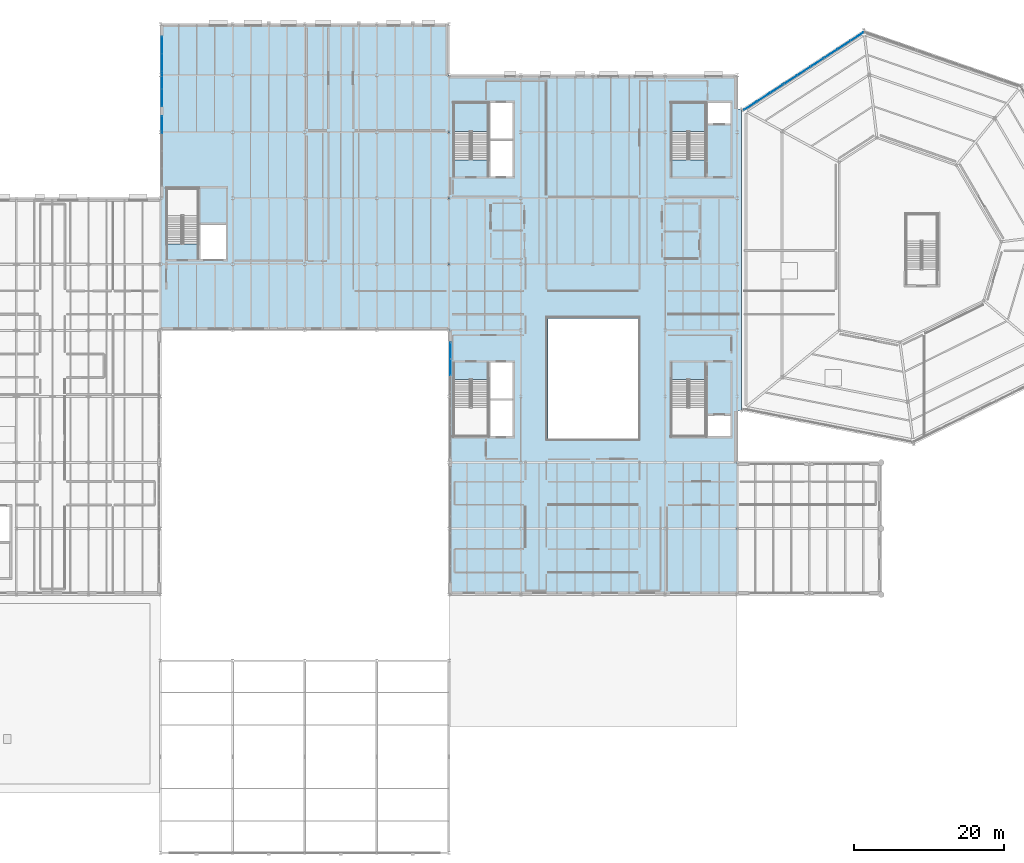
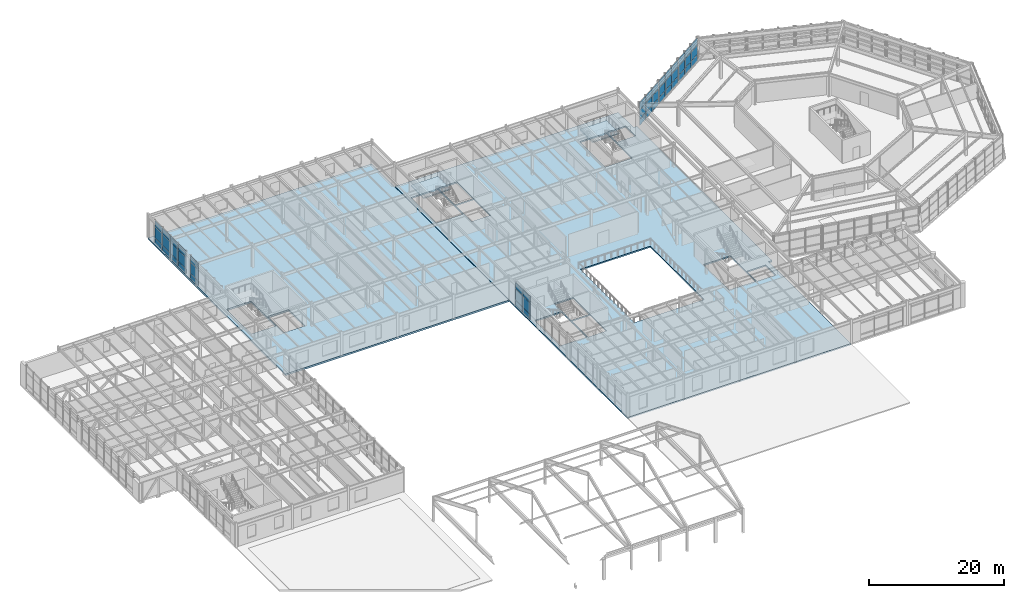
# One storey, part 54 of 88: 48 plates, 4 slabs, 8 elements without a shape of their own.
"""IFC4 building model written with IfcOpenShell, lengths in metres."""

from ifc_helpers import new_model, si_unit, direction, frame, origin, origin_2d, place, context, subcontext, project, spatial, polyline, rectangle, outline, extrude, material, layer, layer_set, type_object, element, aggregate, save


model = new_model("IFC4")

# Units and contexts
model_context = context("Model", 3, precision=1e-05, world=origin(), true_north=direction((0.0, 1.0)))
body_context = subcontext(model_context, "Body", "Model", "MODEL_VIEW")
ifc_project = project(units=[si_unit("LENGTHUNIT", "METRE"), si_unit("AREAUNIT", "SQUARE_METRE"), si_unit("VOLUMEUNIT", "CUBIC_METRE"), si_unit("PLANEANGLEUNIT", "RADIAN"), si_unit("MASSUNIT", "GRAM", prefix="KILO")], contexts=[model_context])

# Site, building, storey
site_placement = place(None, origin())
site = spatial("IfcSite", under=ifc_project, at=site_placement, CompositionType="ELEMENT")
building_placement = place(site_placement, origin())
building = spatial("IfcBuilding", under=site, at=building_placement, Name="Sarnbrook Museum", CompositionType="ELEMENT")
storey_placement = place(building_placement, frame((0.0, 0.0, 10.10009765625)))
storey = spatial("IfcBuildingStorey", under=building, at=storey_placement, Name="L02", CompositionType="ELEMENT", Elevation=10.10009765625)

# Curtain wall, plates
ifc_material_1 = material(Name="Thermally Broken Anodised Aluminium 6063-T6", Category="aluminium")
curtain_wall_type_1 = type_object("IfcCurtainWallType", Name="CurtainWall_CrystalFacet", PredefinedType="NOTDEFINED", material=ifc_material_1)
curtain_wall_1_placement = place(storey_placement, origin())
curtain_wall_1 = element("IfcCurtainWall", 1, at=curtain_wall_1_placement, inside=storey, type_object=curtain_wall_type_1, Name="Crystal Hall Facet Curtain Wall L02-F6.1", PredefinedType="NOTDEFINED")
ifc_material_2 = material(Name="Double-Glazed Low-Iron Laminated Safety Glass", Category="glass")
ifc_layer_1 = layer(ifc_material_2, 0.031982421875)
ifc_layer_set_1 = layer_set([ifc_layer_1], Name="Double-Glazed Low-Iron Laminated Safety Glass")
plate_type_1 = type_object("IfcPlateType", Name="CW_GlazedPanel_32", PredefinedType="CURTAIN_PANEL", material=ifc_layer_set_1)
plate_1_placement = place(storey_placement, frame((135.18505859375, 113.522705078125, 2.0), z_axis=(-0.544284494026, 0.838900703041, 0.0), x_axis=(-0.838900703041, -0.544284494026, 0.0)))
plate_1 = element("IfcPlate", 2, at=plate_1_placement, type_object=plate_type_1, Name="Crystal Hall Facet Curtain Wall L02-F6.1 Glazed Panel 1-2", PredefinedType="CURTAIN_PANEL", context=body_context, shape_type="SweptSolid", body=[
    extrude(rectangle(XDim=1.996826171875, YDim=1.6298828125, at=origin_2d()), origin(), (0.0, 0.0, 1.0), 0.031982421875),
])
plate_2_placement = place(storey_placement, frame((135.18505859375, 113.522705078125, 3.544921875), z_axis=(-0.544284494026, 0.838900703041, 0.0), x_axis=(-0.838900703041, -0.544284494026, 0.0)))
plate_2 = element("IfcPlate", 3, at=plate_2_placement, type_object=plate_type_1, Name="Crystal Hall Facet Curtain Wall L02-F6.1 Glazed Panel 1-3", PredefinedType="CURTAIN_PANEL", context=body_context, shape_type="SweptSolid", body=[
    extrude(rectangle(XDim=1.996826171875, YDim=1.320068359375, at=origin_2d()), origin(), (0.0, 0.0, 1.0), 0.031982421875),
])
plate_3_placement = place(storey_placement, frame((133.447021484375, 112.395263671875, 2.0), z_axis=(-0.544284494026, 0.838900703041, 0.0), x_axis=(-0.838900703041, -0.544284494026, 0.0)))
plate_3 = element("IfcPlate", 4, at=plate_3_placement, type_object=plate_type_1, Name="Crystal Hall Facet Curtain Wall L02-F6.1 Glazed Panel 2-2", PredefinedType="CURTAIN_PANEL", context=body_context, shape_type="SweptSolid", body=[
    extrude(rectangle(XDim=1.996826171875, YDim=1.6298828125, at=origin_2d()), origin(), (0.0, 0.0, 1.0), 0.031982421875),
])
plate_4_placement = place(storey_placement, frame((133.447021484375, 112.395263671875, 3.544921875), z_axis=(-0.544284494026, 0.838900703041, 0.0), x_axis=(-0.838900703041, -0.544284494026, 0.0)))
plate_4 = element("IfcPlate", 5, at=plate_4_placement, type_object=plate_type_1, Name="Crystal Hall Facet Curtain Wall L02-F6.1 Glazed Panel 2-3", PredefinedType="CURTAIN_PANEL", context=body_context, shape_type="SweptSolid", body=[
    extrude(rectangle(XDim=1.996826171875, YDim=1.320068359375, at=origin_2d()), origin(), (0.0, 0.0, 1.0), 0.031982421875),
])
plate_5_placement = place(storey_placement, frame((131.708984375, 111.267578125, 2.0), z_axis=(-0.544284494026, 0.838900703041, 0.0), x_axis=(-0.838900703041, -0.544284494026, 0.0)))
plate_5 = element("IfcPlate", 6, at=plate_5_placement, type_object=plate_type_1, Name="Crystal Hall Facet Curtain Wall L02-F6.1 Glazed Panel 3-2", PredefinedType="CURTAIN_PANEL", context=body_context, shape_type="SweptSolid", body=[
    extrude(rectangle(XDim=1.996826171875, YDim=1.6298828125, at=origin_2d()), origin(), (0.0, 0.0, 1.0), 0.031982421875),
])
plate_6_placement = place(storey_placement, frame((131.708984375, 111.267578125, 3.544921875), z_axis=(-0.544284494026, 0.838900703041, 0.0), x_axis=(-0.838900703041, -0.544284494026, 0.0)))
plate_6 = element("IfcPlate", 7, at=plate_6_placement, type_object=plate_type_1, Name="Crystal Hall Facet Curtain Wall L02-F6.1 Glazed Panel 3-3", PredefinedType="CURTAIN_PANEL", context=body_context, shape_type="SweptSolid", body=[
    extrude(rectangle(XDim=1.996826171875, YDim=1.320068359375, at=origin_2d()), origin(), (0.0, 0.0, 1.0), 0.031982421875),
])

curtain_wall_2_placement = place(storey_placement, origin())
curtain_wall_2 = element("IfcCurtainWall", 8, at=curtain_wall_2_placement, inside=storey, type_object=curtain_wall_type_1, Name="Crystal Hall Facet Curtain Wall L02-F6.2", PredefinedType="NOTDEFINED")
plate_7_placement = place(storey_placement, frame((129.836669921875, 110.052734375, 2.0), z_axis=(-0.544284494026, 0.838900703041, 0.0), x_axis=(-0.838900703041, -0.544284494026, 0.0)))
plate_7 = element("IfcPlate", 9, at=plate_7_placement, type_object=plate_type_1, Name="Crystal Hall Facet Curtain Wall L02-F6.2 Glazed Panel 1-2", PredefinedType="CURTAIN_PANEL", context=body_context, shape_type="SweptSolid", body=[
    extrude(rectangle(XDim=1.996826171875, YDim=1.6298828125, at=origin_2d()), origin(), (0.0, 0.0, 1.0), 0.031982421875),
])
plate_8_placement = place(storey_placement, frame((129.836669921875, 110.052734375, 3.544921875), z_axis=(-0.544284494026, 0.838900703041, 0.0), x_axis=(-0.838900703041, -0.544284494026, 0.0)))
plate_8 = element("IfcPlate", 10, at=plate_8_placement, type_object=plate_type_1, Name="Crystal Hall Facet Curtain Wall L02-F6.2 Glazed Panel 1-3", PredefinedType="CURTAIN_PANEL", context=body_context, shape_type="SweptSolid", body=[
    extrude(rectangle(XDim=1.996826171875, YDim=1.320068359375, at=origin_2d()), origin(), (0.0, 0.0, 1.0), 0.031982421875),
])
plate_9_placement = place(storey_placement, frame((128.0986328125, 108.925048828125, 2.0), z_axis=(-0.544284494026, 0.838900703041, 0.0), x_axis=(-0.838900703041, -0.544284494026, 0.0)))
plate_9 = element("IfcPlate", 11, at=plate_9_placement, type_object=plate_type_1, Name="Crystal Hall Facet Curtain Wall L02-F6.2 Glazed Panel 2-2", PredefinedType="CURTAIN_PANEL", context=body_context, shape_type="SweptSolid", body=[
    extrude(rectangle(XDim=1.996826171875, YDim=1.6298828125, at=origin_2d()), origin(), (0.0, 0.0, 1.0), 0.031982421875),
])
plate_10_placement = place(storey_placement, frame((128.0986328125, 108.925048828125, 3.544921875), z_axis=(-0.544284494026, 0.838900703041, 0.0), x_axis=(-0.838900703041, -0.544284494026, 0.0)))
plate_10 = element("IfcPlate", 12, at=plate_10_placement, type_object=plate_type_1, Name="Crystal Hall Facet Curtain Wall L02-F6.2 Glazed Panel 2-3", PredefinedType="CURTAIN_PANEL", context=body_context, shape_type="SweptSolid", body=[
    extrude(rectangle(XDim=1.996826171875, YDim=1.320068359375, at=origin_2d()), origin(), (0.0, 0.0, 1.0), 0.031982421875),
])
plate_11_placement = place(storey_placement, frame((126.360595703125, 107.79736328125, 2.0), z_axis=(-0.544284494026, 0.838900703041, 0.0), x_axis=(-0.838900703041, -0.544284494026, 0.0)))
plate_11 = element("IfcPlate", 13, at=plate_11_placement, type_object=plate_type_1, Name="Crystal Hall Facet Curtain Wall L02-F6.2 Glazed Panel 3-2", PredefinedType="CURTAIN_PANEL", context=body_context, shape_type="SweptSolid", body=[
    extrude(rectangle(XDim=1.996826171875, YDim=1.6298828125, at=origin_2d()), origin(), (0.0, 0.0, 1.0), 0.031982421875),
])
plate_12_placement = place(storey_placement, frame((126.360595703125, 107.79736328125, 3.544921875), z_axis=(-0.544284494026, 0.838900703041, 0.0), x_axis=(-0.838900703041, -0.544284494026, 0.0)))
plate_12 = element("IfcPlate", 14, at=plate_12_placement, type_object=plate_type_1, Name="Crystal Hall Facet Curtain Wall L02-F6.2 Glazed Panel 3-3", PredefinedType="CURTAIN_PANEL", context=body_context, shape_type="SweptSolid", body=[
    extrude(rectangle(XDim=1.996826171875, YDim=1.320068359375, at=origin_2d()), origin(), (0.0, 0.0, 1.0), 0.031982421875),
])

curtain_wall_3_placement = place(storey_placement, origin())
curtain_wall_3 = element("IfcCurtainWall", 15, at=curtain_wall_3_placement, inside=storey, type_object=curtain_wall_type_1, Name="Crystal Hall Facet Curtain Wall L02-F6.3", PredefinedType="NOTDEFINED")
plate_13_placement = place(storey_placement, frame((124.48828125, 106.58251953125, 2.0), z_axis=(-0.544284494026, 0.838900703041, 0.0), x_axis=(-0.838900703041, -0.544284494026, 0.0)))
plate_13 = element("IfcPlate", 16, at=plate_13_placement, type_object=plate_type_1, Name="Crystal Hall Facet Curtain Wall L02-F6.3 Glazed Panel 1-2", PredefinedType="CURTAIN_PANEL", context=body_context, shape_type="SweptSolid", body=[
    extrude(rectangle(XDim=1.996826171875, YDim=1.6298828125, at=origin_2d()), origin(), (0.0, 0.0, 1.0), 0.031982421875),
])
plate_14_placement = place(storey_placement, frame((124.48828125, 106.58251953125, 3.544921875), z_axis=(-0.544284494026, 0.838900703041, 0.0), x_axis=(-0.838900703041, -0.544284494026, 0.0)))
plate_14 = element("IfcPlate", 17, at=plate_14_placement, type_object=plate_type_1, Name="Crystal Hall Facet Curtain Wall L02-F6.3 Glazed Panel 1-3", PredefinedType="CURTAIN_PANEL", context=body_context, shape_type="SweptSolid", body=[
    extrude(rectangle(XDim=1.996826171875, YDim=1.320068359375, at=origin_2d()), origin(), (0.0, 0.0, 1.0), 0.031982421875),
])
plate_15_placement = place(storey_placement, frame((122.750244140625, 105.455078125, 2.0), z_axis=(-0.544284494026, 0.838900703041, 0.0), x_axis=(-0.838900703041, -0.544284494026, 0.0)))
plate_15 = element("IfcPlate", 18, at=plate_15_placement, type_object=plate_type_1, Name="Crystal Hall Facet Curtain Wall L02-F6.3 Glazed Panel 2-2", PredefinedType="CURTAIN_PANEL", context=body_context, shape_type="SweptSolid", body=[
    extrude(rectangle(XDim=1.996826171875, YDim=1.6298828125, at=origin_2d()), origin(), (0.0, 0.0, 1.0), 0.031982421875),
])
plate_16_placement = place(storey_placement, frame((122.750244140625, 105.455078125, 3.544921875), z_axis=(-0.544284494026, 0.838900703041, 0.0), x_axis=(-0.838900703041, -0.544284494026, 0.0)))
plate_16 = element("IfcPlate", 19, at=plate_16_placement, type_object=plate_type_1, Name="Crystal Hall Facet Curtain Wall L02-F6.3 Glazed Panel 2-3", PredefinedType="CURTAIN_PANEL", context=body_context, shape_type="SweptSolid", body=[
    extrude(rectangle(XDim=1.996826171875, YDim=1.320068359375, at=origin_2d()), origin(), (0.0, 0.0, 1.0), 0.031982421875),
])
plate_17_placement = place(storey_placement, frame((121.01220703125, 104.327392578125, 2.0), z_axis=(-0.544284494026, 0.838900703041, 0.0), x_axis=(-0.838900703041, -0.544284494026, 0.0)))
plate_17 = element("IfcPlate", 20, at=plate_17_placement, type_object=plate_type_1, Name="Crystal Hall Facet Curtain Wall L02-F6.3 Glazed Panel 3-2", PredefinedType="CURTAIN_PANEL", context=body_context, shape_type="SweptSolid", body=[
    extrude(rectangle(XDim=1.996826171875, YDim=1.6298828125, at=origin_2d()), origin(), (0.0, 0.0, 1.0), 0.031982421875),
])
plate_18_placement = place(storey_placement, frame((121.01220703125, 104.327392578125, 3.544921875), z_axis=(-0.544284494026, 0.838900703041, 0.0), x_axis=(-0.838900703041, -0.544284494026, 0.0)))
plate_18 = element("IfcPlate", 21, at=plate_18_placement, type_object=plate_type_1, Name="Crystal Hall Facet Curtain Wall L02-F6.3 Glazed Panel 3-3", PredefinedType="CURTAIN_PANEL", context=body_context, shape_type="SweptSolid", body=[
    extrude(rectangle(XDim=1.996826171875, YDim=1.320068359375, at=origin_2d()), origin(), (0.0, 0.0, 1.0), 0.031982421875),
])

curtain_wall_type_2 = type_object("IfcCurtainWallType", Name="CurtainWall_GalleryRibbon", PredefinedType="NOTDEFINED", material=ifc_material_1)
curtain_wall_4_placement = place(storey_placement, origin())
curtain_wall_4 = element("IfcCurtainWall", 22, at=curtain_wall_4_placement, inside=storey, type_object=curtain_wall_type_2, Name="Gallery Ribbon Curtain Wall L02-6.1", PredefinedType="NOTDEFINED")
plate_19_placement = place(storey_placement, frame((42.6181640625, 112.409912109375, 1.949951171875), z_axis=(-1.0, 0.0, 0.0), x_axis=(0.0, -1.0, 0.0)))
plate_19 = element("IfcPlate", 23, at=plate_19_placement, type_object=plate_type_1, Name="Gallery Ribbon Curtain Wall L02-6.1 Glazed Panel 1-2", PredefinedType="CURTAIN_PANEL", context=body_context, shape_type="SweptSolid", body=[
    extrude(rectangle(XDim=2.264892578125, YDim=2.030029296875, at=origin_2d()), origin(), (0.0, 0.0, 1.0), 0.031982421875),
])
plate_20_placement = place(storey_placement, frame((42.6181640625, 112.409912109375, 3.579833984375), z_axis=(-1.0, 0.0, 0.0), x_axis=(0.0, -1.0, 0.0)))
plate_20 = element("IfcPlate", 24, at=plate_20_placement, type_object=plate_type_1, Name="Gallery Ribbon Curtain Wall L02-6.1 Glazed Panel 1-3", PredefinedType="CURTAIN_PANEL", context=body_context, shape_type="SweptSolid", body=[
    extrude(rectangle(XDim=2.264892578125, YDim=1.090087890625, at=origin_2d()), origin(), (0.0, 0.0, 1.0), 0.031982421875),
])
plate_21_placement = place(storey_placement, frame((42.6181640625, 110.070068359375, 1.949951171875), z_axis=(-1.0, 0.0, 0.0), x_axis=(0.0, -1.0, 0.0)))
plate_21 = element("IfcPlate", 25, at=plate_21_placement, type_object=plate_type_1, Name="Gallery Ribbon Curtain Wall L02-6.1 Glazed Panel 2-2", PredefinedType="CURTAIN_PANEL", context=body_context, shape_type="SweptSolid", body=[
    extrude(rectangle(XDim=2.264892578125, YDim=2.030029296875, at=origin_2d()), origin(), (0.0, 0.0, 1.0), 0.031982421875),
])
plate_22_placement = place(storey_placement, frame((42.6181640625, 110.070068359375, 3.579833984375), z_axis=(-1.0, 0.0, 0.0), x_axis=(0.0, -1.0, 0.0)))
plate_22 = element("IfcPlate", 26, at=plate_22_placement, type_object=plate_type_1, Name="Gallery Ribbon Curtain Wall L02-6.1 Glazed Panel 2-3", PredefinedType="CURTAIN_PANEL", context=body_context, shape_type="SweptSolid", body=[
    extrude(rectangle(XDim=2.264892578125, YDim=1.090087890625, at=origin_2d()), origin(), (0.0, 0.0, 1.0), 0.031982421875),
])
plate_23_placement = place(storey_placement, frame((42.6181640625, 107.72998046875, 1.949951171875), z_axis=(-1.0, 0.0, 0.0), x_axis=(0.0, -1.0, 0.0)))
plate_23 = element("IfcPlate", 27, at=plate_23_placement, type_object=plate_type_1, Name="Gallery Ribbon Curtain Wall L02-6.1 Glazed Panel 3-2", PredefinedType="CURTAIN_PANEL", context=body_context, shape_type="SweptSolid", body=[
    extrude(rectangle(XDim=2.264892578125, YDim=2.030029296875, at=origin_2d()), origin(), (0.0, 0.0, 1.0), 0.031982421875),
])
plate_24_placement = place(storey_placement, frame((42.6181640625, 107.72998046875, 3.579833984375), z_axis=(-1.0, 0.0, 0.0), x_axis=(0.0, -1.0, 0.0)))
plate_24 = element("IfcPlate", 28, at=plate_24_placement, type_object=plate_type_1, Name="Gallery Ribbon Curtain Wall L02-6.1 Glazed Panel 3-3", PredefinedType="CURTAIN_PANEL", context=body_context, shape_type="SweptSolid", body=[
    extrude(rectangle(XDim=2.264892578125, YDim=1.090087890625, at=origin_2d()), origin(), (0.0, 0.0, 1.0), 0.031982421875),
])
plate_25_placement = place(storey_placement, frame((42.6181640625, 105.389892578125, 1.949951171875), z_axis=(-1.0, 0.0, 0.0), x_axis=(0.0, -1.0, 0.0)))
plate_25 = element("IfcPlate", 29, at=plate_25_placement, type_object=plate_type_1, Name="Gallery Ribbon Curtain Wall L02-6.1 Glazed Panel 4-2", PredefinedType="CURTAIN_PANEL", context=body_context, shape_type="SweptSolid", body=[
    extrude(rectangle(XDim=2.264892578125, YDim=2.030029296875, at=origin_2d()), origin(), (0.0, 0.0, 1.0), 0.031982421875),
])
plate_26_placement = place(storey_placement, frame((42.6181640625, 105.389892578125, 3.579833984375), z_axis=(-1.0, 0.0, 0.0), x_axis=(0.0, -1.0, 0.0)))
plate_26 = element("IfcPlate", 30, at=plate_26_placement, type_object=plate_type_1, Name="Gallery Ribbon Curtain Wall L02-6.1 Glazed Panel 4-3", PredefinedType="CURTAIN_PANEL", context=body_context, shape_type="SweptSolid", body=[
    extrude(rectangle(XDim=2.264892578125, YDim=1.090087890625, at=origin_2d()), origin(), (0.0, 0.0, 1.0), 0.031982421875),
])

curtain_wall_5_placement = place(storey_placement, origin())
curtain_wall_5 = element("IfcCurtainWall", 31, at=curtain_wall_5_placement, inside=storey, type_object=curtain_wall_type_2, Name="Gallery Ribbon Curtain Wall L02-6.2", PredefinedType="NOTDEFINED")
plate_27_placement = place(storey_placement, frame((42.6181640625, 101.81005859375, 1.949951171875), z_axis=(-1.0, 0.0, 0.0), x_axis=(0.0, -1.0, 0.0)))
plate_27 = element("IfcPlate", 32, at=plate_27_placement, type_object=plate_type_1, Name="Gallery Ribbon Curtain Wall L02-6.2 Glazed Panel 1-2", PredefinedType="CURTAIN_PANEL", context=body_context, shape_type="SweptSolid", body=[
    extrude(rectangle(XDim=2.264892578125, YDim=2.030029296875, at=origin_2d()), origin(), (0.0, 0.0, 1.0), 0.031982421875),
])
plate_28_placement = place(storey_placement, frame((42.6181640625, 101.81005859375, 3.579833984375), z_axis=(-1.0, 0.0, 0.0), x_axis=(0.0, -1.0, 0.0)))
plate_28 = element("IfcPlate", 33, at=plate_28_placement, type_object=plate_type_1, Name="Gallery Ribbon Curtain Wall L02-6.2 Glazed Panel 1-3", PredefinedType="CURTAIN_PANEL", context=body_context, shape_type="SweptSolid", body=[
    extrude(rectangle(XDim=2.264892578125, YDim=1.090087890625, at=origin_2d()), origin(), (0.0, 0.0, 1.0), 0.031982421875),
])

curtain_wall_6_placement = place(storey_placement, origin())
curtain_wall_6 = element("IfcCurtainWall", 34, at=curtain_wall_6_placement, inside=storey, type_object=curtain_wall_type_2, Name="Gallery Ribbon Curtain Wall L02-14.1", PredefinedType="NOTDEFINED")
plate_29_placement = place(storey_placement, frame((81.01806640625, 71.682861328125, 1.949951171875), z_axis=(-1.0, 0.0, 0.0), x_axis=(0.0, -1.0, 0.0)))
plate_29 = element("IfcPlate", 35, at=plate_29_placement, type_object=plate_type_1, Name="Gallery Ribbon Curtain Wall L02-14.1 Glazed Panel 1-2", PredefinedType="CURTAIN_PANEL", context=body_context, shape_type="SweptSolid", body=[
    extrude(rectangle(XDim=2.119384765625, YDim=2.030029296875, at=origin_2d()), origin(), (0.0, 0.0, 1.0), 0.031982421875),
])
plate_30_placement = place(storey_placement, frame((81.01806640625, 71.682861328125, 3.579833984375), z_axis=(-1.0, 0.0, 0.0), x_axis=(0.0, -1.0, 0.0)))
plate_30 = element("IfcPlate", 36, at=plate_30_placement, type_object=plate_type_1, Name="Gallery Ribbon Curtain Wall L02-14.1 Glazed Panel 1-3", PredefinedType="CURTAIN_PANEL", context=body_context, shape_type="SweptSolid", body=[
    extrude(rectangle(XDim=2.119384765625, YDim=1.090087890625, at=origin_2d()), origin(), (0.0, 0.0, 1.0), 0.031982421875),
])
plate_31_placement = place(storey_placement, frame((81.01806640625, 69.488525390625, 1.949951171875), z_axis=(-1.0, 0.0, 0.0), x_axis=(0.0, -1.0, 0.0)))
plate_31 = element("IfcPlate", 37, at=plate_31_placement, type_object=plate_type_1, Name="Gallery Ribbon Curtain Wall L02-14.1 Glazed Panel 2-2", PredefinedType="CURTAIN_PANEL", context=body_context, shape_type="SweptSolid", body=[
    extrude(rectangle(XDim=2.119384765625, YDim=2.030029296875, at=origin_2d()), origin(), (0.0, 0.0, 1.0), 0.031982421875),
])
plate_32_placement = place(storey_placement, frame((81.01806640625, 69.488525390625, 3.579833984375), z_axis=(-1.0, 0.0, 0.0), x_axis=(0.0, -1.0, 0.0)))
plate_32 = element("IfcPlate", 38, at=plate_32_placement, type_object=plate_type_1, Name="Gallery Ribbon Curtain Wall L02-14.1 Glazed Panel 2-3", PredefinedType="CURTAIN_PANEL", context=body_context, shape_type="SweptSolid", body=[
    extrude(rectangle(XDim=2.119384765625, YDim=1.090087890625, at=origin_2d()), origin(), (0.0, 0.0, 1.0), 0.031982421875),
])

# Plate
ifc_material_3 = material(Name="Patinated Architectural Bronze")
ifc_layer_2 = layer(ifc_material_3, 0.044921875)
ifc_layer_set_2 = layer_set([ifc_layer_2], Name="Patinated Architectural Bronze")
plate_type_2 = type_object("IfcPlateType", Name="CW_SpandrelPanel_45", PredefinedType="CURTAIN_PANEL", material=ifc_layer_set_2)
plate_33_placement = place(storey_placement, frame((135.1884765625, 113.517333984375, 0.574951171875), z_axis=(-0.544284494026, 0.838900703041, 0.0), x_axis=(-0.838900703041, -0.544284494026, 0.0)))
plate_33 = element("IfcPlate", 39, at=plate_33_placement, type_object=plate_type_2, Name="Crystal Hall Facet Curtain Wall L02-F6.1 Spandrel Panel 1-1", PredefinedType="CURTAIN_PANEL", context=body_context, shape_type="SweptSolid", body=[
    extrude(rectangle(XDim=1.996826171875, YDim=1.080078125, at=origin_2d()), origin(), (0.0, 0.0, 1.0), 0.044921875),
])

plate_34_placement = place(storey_placement, frame((133.450439453125, 112.389892578125, 0.574951171875), z_axis=(-0.544284494026, 0.838900703041, 0.0), x_axis=(-0.838900703041, -0.544284494026, 0.0)))
plate_34 = element("IfcPlate", 40, at=plate_34_placement, type_object=plate_type_2, Name="Crystal Hall Facet Curtain Wall L02-F6.1 Spandrel Panel 2-1", PredefinedType="CURTAIN_PANEL", context=body_context, shape_type="SweptSolid", body=[
    extrude(rectangle(XDim=1.996826171875, YDim=1.080078125, at=origin_2d()), origin(), (0.0, 0.0, 1.0), 0.044921875),
])

plate_35_placement = place(storey_placement, frame((131.71240234375, 111.26220703125, 0.574951171875), z_axis=(-0.544284494026, 0.838900703041, 0.0), x_axis=(-0.838900703041, -0.544284494026, 0.0)))
plate_35 = element("IfcPlate", 41, at=plate_35_placement, type_object=plate_type_2, Name="Crystal Hall Facet Curtain Wall L02-F6.1 Spandrel Panel 3-1", PredefinedType="CURTAIN_PANEL", context=body_context, shape_type="SweptSolid", body=[
    extrude(rectangle(XDim=1.996826171875, YDim=1.080078125, at=origin_2d()), origin(), (0.0, 0.0, 1.0), 0.044921875),
])

aggregate(curtain_wall_1, [plate_33, plate_1, plate_2, plate_34, plate_3, plate_4, plate_35, plate_5, plate_6])

plate_36_placement = place(storey_placement, frame((129.840087890625, 110.04736328125, 0.574951171875), z_axis=(-0.544284494026, 0.838900703041, 0.0), x_axis=(-0.838900703041, -0.544284494026, 0.0)))
plate_36 = element("IfcPlate", 42, at=plate_36_placement, type_object=plate_type_2, Name="Crystal Hall Facet Curtain Wall L02-F6.2 Spandrel Panel 1-1", PredefinedType="CURTAIN_PANEL", context=body_context, shape_type="SweptSolid", body=[
    extrude(rectangle(XDim=1.996826171875, YDim=1.080078125, at=origin_2d()), origin(), (0.0, 0.0, 1.0), 0.044921875),
])

plate_37_placement = place(storey_placement, frame((128.10205078125, 108.919677734375, 0.574951171875), z_axis=(-0.544284494026, 0.838900703041, 0.0), x_axis=(-0.838900703041, -0.544284494026, 0.0)))
plate_37 = element("IfcPlate", 43, at=plate_37_placement, type_object=plate_type_2, Name="Crystal Hall Facet Curtain Wall L02-F6.2 Spandrel Panel 2-1", PredefinedType="CURTAIN_PANEL", context=body_context, shape_type="SweptSolid", body=[
    extrude(rectangle(XDim=1.996826171875, YDim=1.080078125, at=origin_2d()), origin(), (0.0, 0.0, 1.0), 0.044921875),
])

plate_38_placement = place(storey_placement, frame((126.364013671875, 107.7919921875, 0.574951171875), z_axis=(-0.544284494026, 0.838900703041, 0.0), x_axis=(-0.838900703041, -0.544284494026, 0.0)))
plate_38 = element("IfcPlate", 44, at=plate_38_placement, type_object=plate_type_2, Name="Crystal Hall Facet Curtain Wall L02-F6.2 Spandrel Panel 3-1", PredefinedType="CURTAIN_PANEL", context=body_context, shape_type="SweptSolid", body=[
    extrude(rectangle(XDim=1.996826171875, YDim=1.080078125, at=origin_2d()), origin(), (0.0, 0.0, 1.0), 0.044921875),
])

aggregate(curtain_wall_2, [plate_36, plate_7, plate_8, plate_37, plate_9, plate_10, plate_38, plate_11, plate_12])

plate_39_placement = place(storey_placement, frame((124.49169921875, 106.5771484375, 0.574951171875), z_axis=(-0.544284494026, 0.838900703041, 0.0), x_axis=(-0.838900703041, -0.544284494026, 0.0)))
plate_39 = element("IfcPlate", 45, at=plate_39_placement, type_object=plate_type_2, Name="Crystal Hall Facet Curtain Wall L02-F6.3 Spandrel Panel 1-1", PredefinedType="CURTAIN_PANEL", context=body_context, shape_type="SweptSolid", body=[
    extrude(rectangle(XDim=1.996826171875, YDim=1.080078125, at=origin_2d()), origin(), (0.0, 0.0, 1.0), 0.044921875),
])

plate_40_placement = place(storey_placement, frame((122.753662109375, 105.44970703125, 0.574951171875), z_axis=(-0.544284494026, 0.838900703041, 0.0), x_axis=(-0.838900703041, -0.544284494026, 0.0)))
plate_40 = element("IfcPlate", 46, at=plate_40_placement, type_object=plate_type_2, Name="Crystal Hall Facet Curtain Wall L02-F6.3 Spandrel Panel 2-1", PredefinedType="CURTAIN_PANEL", context=body_context, shape_type="SweptSolid", body=[
    extrude(rectangle(XDim=1.996826171875, YDim=1.080078125, at=origin_2d()), origin(), (0.0, 0.0, 1.0), 0.044921875),
])

plate_41_placement = place(storey_placement, frame((121.015625, 104.322021484375, 0.574951171875), z_axis=(-0.544284494026, 0.838900703041, 0.0), x_axis=(-0.838900703041, -0.544284494026, 0.0)))
plate_41 = element("IfcPlate", 47, at=plate_41_placement, type_object=plate_type_2, Name="Crystal Hall Facet Curtain Wall L02-F6.3 Spandrel Panel 3-1", PredefinedType="CURTAIN_PANEL", context=body_context, shape_type="SweptSolid", body=[
    extrude(rectangle(XDim=1.996826171875, YDim=1.080078125, at=origin_2d()), origin(), (0.0, 0.0, 1.0), 0.044921875),
])

aggregate(curtain_wall_3, [plate_39, plate_13, plate_14, plate_40, plate_15, plate_16, plate_41, plate_17, plate_18])

plate_42_placement = place(storey_placement, frame((42.62451171875, 112.409912109375, 0.449951171875), z_axis=(-1.0, 0.0, 0.0), x_axis=(0.0, -1.0, 0.0)))
plate_42 = element("IfcPlate", 48, at=plate_42_placement, type_object=plate_type_2, Name="Gallery Ribbon Curtain Wall L02-6.1 Spandrel Panel 1-1", PredefinedType="CURTAIN_PANEL", context=body_context, shape_type="SweptSolid", body=[
    extrude(rectangle(XDim=2.264892578125, YDim=0.830078125, at=origin_2d()), origin(), (0.0, 0.0, 1.0), 0.044921875),
])

plate_43_placement = place(storey_placement, frame((42.62451171875, 110.070068359375, 0.449951171875), z_axis=(-1.0, 0.0, 0.0), x_axis=(0.0, -1.0, 0.0)))
plate_43 = element("IfcPlate", 49, at=plate_43_placement, type_object=plate_type_2, Name="Gallery Ribbon Curtain Wall L02-6.1 Spandrel Panel 2-1", PredefinedType="CURTAIN_PANEL", context=body_context, shape_type="SweptSolid", body=[
    extrude(rectangle(XDim=2.264892578125, YDim=0.830078125, at=origin_2d()), origin(), (0.0, 0.0, 1.0), 0.044921875),
])

plate_44_placement = place(storey_placement, frame((42.62451171875, 107.72998046875, 0.449951171875), z_axis=(-1.0, 0.0, 0.0), x_axis=(0.0, -1.0, 0.0)))
plate_44 = element("IfcPlate", 50, at=plate_44_placement, type_object=plate_type_2, Name="Gallery Ribbon Curtain Wall L02-6.1 Spandrel Panel 3-1", PredefinedType="CURTAIN_PANEL", context=body_context, shape_type="SweptSolid", body=[
    extrude(rectangle(XDim=2.264892578125, YDim=0.830078125, at=origin_2d()), origin(), (0.0, 0.0, 1.0), 0.044921875),
])

plate_45_placement = place(storey_placement, frame((42.62451171875, 105.389892578125, 0.449951171875), z_axis=(-1.0, 0.0, 0.0), x_axis=(0.0, -1.0, 0.0)))
plate_45 = element("IfcPlate", 51, at=plate_45_placement, type_object=plate_type_2, Name="Gallery Ribbon Curtain Wall L02-6.1 Spandrel Panel 4-1", PredefinedType="CURTAIN_PANEL", context=body_context, shape_type="SweptSolid", body=[
    extrude(rectangle(XDim=2.264892578125, YDim=0.830078125, at=origin_2d()), origin(), (0.0, 0.0, 1.0), 0.044921875),
])

aggregate(curtain_wall_4, [plate_42, plate_19, plate_20, plate_43, plate_21, plate_22, plate_44, plate_23, plate_24, plate_45, plate_25, plate_26])

plate_46_placement = place(storey_placement, frame((42.62451171875, 101.81005859375, 0.449951171875), z_axis=(-1.0, 0.0, 0.0), x_axis=(0.0, -1.0, 0.0)))
plate_46 = element("IfcPlate", 52, at=plate_46_placement, type_object=plate_type_2, Name="Gallery Ribbon Curtain Wall L02-6.2 Spandrel Panel 1-1", PredefinedType="CURTAIN_PANEL", context=body_context, shape_type="SweptSolid", body=[
    extrude(rectangle(XDim=2.264892578125, YDim=0.830078125, at=origin_2d()), origin(), (0.0, 0.0, 1.0), 0.044921875),
])

aggregate(curtain_wall_5, [plate_46, plate_27, plate_28])

plate_47_placement = place(storey_placement, frame((81.0244140625, 71.682861328125, 0.449951171875), z_axis=(-1.0, 0.0, 0.0), x_axis=(0.0, -1.0, 0.0)))
plate_47 = element("IfcPlate", 53, at=plate_47_placement, type_object=plate_type_2, Name="Gallery Ribbon Curtain Wall L02-14.1 Spandrel Panel 1-1", PredefinedType="CURTAIN_PANEL", context=body_context, shape_type="SweptSolid", body=[
    extrude(rectangle(XDim=2.119384765625, YDim=0.830078125, at=origin_2d()), origin(), (0.0, 0.0, 1.0), 0.044921875),
])

plate_48_placement = place(storey_placement, frame((81.0244140625, 69.488525390625, 0.449951171875), z_axis=(-1.0, 0.0, 0.0), x_axis=(0.0, -1.0, 0.0)))
plate_48 = element("IfcPlate", 54, at=plate_48_placement, type_object=plate_type_2, Name="Gallery Ribbon Curtain Wall L02-14.1 Spandrel Panel 2-1", PredefinedType="CURTAIN_PANEL", context=body_context, shape_type="SweptSolid", body=[
    extrude(rectangle(XDim=2.119384765625, YDim=0.830078125, at=origin_2d()), origin(), (0.0, 0.0, 1.0), 0.044921875),
])

aggregate(curtain_wall_6, [plate_47, plate_29, plate_30, plate_48, plate_31, plate_32])

# Slabs
ifc_material_4 = material(Name="Concrete N40 (AS 3600, f'c = 40 MPa)", Category="concrete")
ifc_layer_3 = layer(ifc_material_4, 0.25)
ifc_layer_set_3 = layer_set([ifc_layer_3], Name="Concrete N40 (AS 3600, f'c = 40 MPa)")
slab_type_1 = type_object("IfcSlabType", Name="FloorSlab_250", PredefinedType="FLOOR", material=ifc_layer_set_3)
slab_1_placement = place(storey_placement, frame((0.0, 0.0, -0.25)))
element("IfcSlab", 55, at=slab_1_placement, inside=storey, type_object=slab_type_1, Name="V2 Structural Slab L02", PredefinedType="FLOOR", context=body_context, shape_type="SweptSolid", body=[
    extrude(outline(polyline([(119.788330078125, 103.878173828125), (119.788330078125, 63.68798828125), (119.199951171875, 63.68798828125), (119.199951171875, 39.199951171875), (80.8349609375, 39.199951171875), (80.8349609375, 108.39990234375), (119.199951171875, 108.39990234375), (119.199951171875, 103.878173828125), (119.788330078125, 103.878173828125)]), holes=[polyline([(86.199951171875, 65.179931640625), (89.39990234375, 65.179931640625), (89.39990234375, 60.199951171875), (86.199951171875, 60.199951171875), (86.199951171875, 65.179931640625)]), polyline([(81.43994140625, 67.879638671875), (86.06005859375, 67.879638671875), (86.06005859375, 60.300048828125), (81.43994140625, 60.300048828125), (81.43994140625, 67.879638671875)]), polyline([(86.199951171875, 70.199951171875), (89.39990234375, 70.199951171875), (89.39990234375, 65.219970703125), (86.199951171875, 65.219970703125), (86.199951171875, 70.199951171875)]), polyline([(89.39990234375, 99.780029296875), (89.39990234375, 94.800048828125), (86.199951171875, 94.800048828125), (86.199951171875, 99.780029296875), (89.39990234375, 99.780029296875)]), polyline([(86.06005859375, 104.699951171875), (86.06005859375, 97.120361328125), (81.43994140625, 97.120361328125), (81.43994140625, 104.699951171875), (86.06005859375, 104.699951171875)]), polyline([(86.199951171875, 104.800048828125), (89.39990234375, 104.800048828125), (89.39990234375, 99.820068359375), (86.199951171875, 99.820068359375), (86.199951171875, 104.800048828125)]), polyline([(118.39990234375, 63.179931640625), (118.39990234375, 60.199951171875), (115.199951171875, 60.199951171875), (115.199951171875, 63.179931640625), (118.39990234375, 63.179931640625)]), polyline([(115.06005859375, 67.879638671875), (115.06005859375, 60.300048828125), (110.43994140625, 60.300048828125), (110.43994140625, 67.879638671875), (115.06005859375, 67.879638671875)]), polyline([(94.0, 76.0), (106.0, 76.0), (106.0, 60.0), (94.0, 60.0), (94.0, 76.0)]), polyline([(115.06005859375, 104.699951171875), (115.06005859375, 97.120361328125), (110.43994140625, 97.120361328125), (110.43994140625, 104.699951171875), (115.06005859375, 104.699951171875)]), polyline([(118.39990234375, 104.800048828125), (118.39990234375, 101.820068359375), (115.199951171875, 101.820068359375), (115.199951171875, 104.800048828125), (118.39990234375, 104.800048828125)])]), origin(), (0.0, 0.0, 1.0), 0.25),
])
ifc_layer_4 = layer(ifc_material_4, 0.320068359375)
ifc_layer_set_4 = layer_set([ifc_layer_4], Name="Concrete N40 (AS 3600, f'c = 40 MPa)")
slab_type_2 = type_object("IfcSlabType", Name="FloorSlab_320", PredefinedType="FLOOR", material=ifc_layer_set_4)
slab_2_placement = place(storey_placement, frame((0.0, 0.0, -0.320068359375)))
element("IfcSlab", 56, at=slab_2_placement, inside=storey, type_object=slab_type_2, Name="V5N Structural Slab L02", PredefinedType="FLOOR", context=body_context, shape_type="SweptSolid", body=[
    extrude(outline(polyline([(80.764892578125, 115.199951171875), (80.764892578125, 74.39990234375), (42.404052734375, 74.39990234375), (42.404052734375, 92.00390625), (42.39990234375, 92.00390625), (42.39990234375, 115.199951171875), (80.764892578125, 115.199951171875)]), holes=[polyline([(51.199951171875, 83.800048828125), (47.580078125, 83.800048828125), (47.580078125, 88.6201171875), (51.199951171875, 88.6201171875), (51.199951171875, 83.800048828125)]), polyline([(47.43994140625, 85.92041015625), (43.239990234375, 85.92041015625), (43.239990234375, 93.300048828125), (47.43994140625, 93.300048828125), (47.43994140625, 85.92041015625)])]), origin(), (0.0, 0.0, 1.0), 0.320068359375),
])

# Stair, slab
stair_type = type_object("IfcStairType", Name="Stair_ST03", PredefinedType="HALF_TURN_STAIR", material=ifc_material_4)
stair_1_placement = place(storey_placement, origin())
stair_1 = element("IfcStair", 57, at=stair_1_placement, inside=storey, type_object=stair_type, Name="L02 Exit Stair ST2", PredefinedType="HALF_TURN_STAIR")
ifc_layer_5 = layer(ifc_material_4, 0.199951171875)
ifc_layer_set_5 = layer_set([ifc_layer_5], Name="Concrete N40 (AS 3600, f'c = 40 MPa)")
slab_type_3 = type_object("IfcSlabType", Name="Landing_200", PredefinedType="LANDING", material=ifc_layer_set_5)
slab_3_placement = place(storey_placement, frame((0.0, 0.0, 2.0498046875)))
slab_3 = element("IfcSlab", 58, at=slab_3_placement, type_object=slab_type_3, Name="ST2 landing 1", PredefinedType="LANDING", context=body_context, shape_type="SweptSolid", body=[
    extrude(outline(polyline([(115.06005859375, 100.889892578125), (115.06005859375, 104.699951171875), (110.43994140625, 104.699951171875), (110.43994140625, 100.889892578125), (115.06005859375, 100.889892578125)])), origin(), (0.0, 0.0, 1.0), 0.2001953125),
])
aggregate(stair_1, [slab_3])

stair_2_placement = place(storey_placement, origin())
stair_2 = element("IfcStair", 59, at=stair_2_placement, inside=storey, type_object=stair_type, Name="L02 Exit Stair ST4", PredefinedType="HALF_TURN_STAIR")
slab_4_placement = place(storey_placement, frame((0.0, 0.0, 2.0498046875)))
slab_4 = element("IfcSlab", 60, at=slab_4_placement, type_object=slab_type_3, Name="ST4 landing 1", PredefinedType="LANDING", context=body_context, shape_type="SweptSolid", body=[
    extrude(outline(polyline([(86.06005859375, 100.889892578125), (86.06005859375, 104.699951171875), (81.43994140625, 104.699951171875), (81.43994140625, 100.889892578125), (86.06005859375, 100.889892578125)])), origin(), (0.0, 0.0, 1.0), 0.2001953125),
])
aggregate(stair_2, [slab_4])

save(model, "model.ifc")
